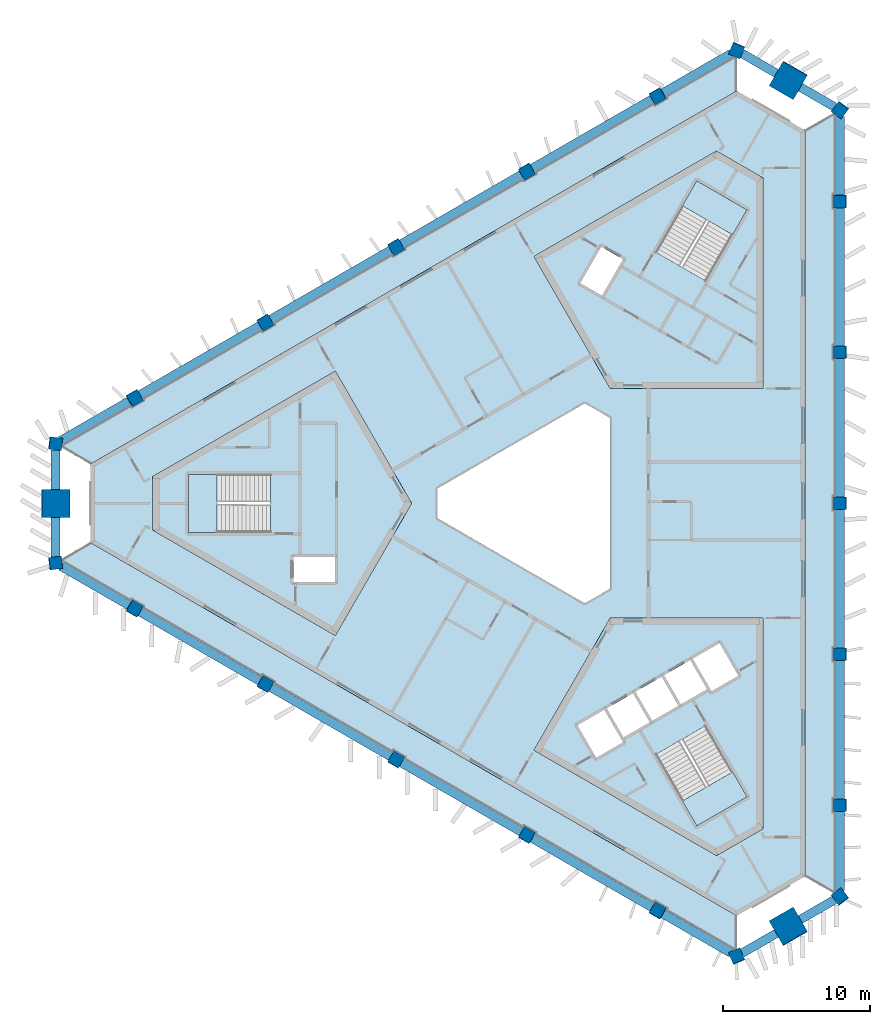
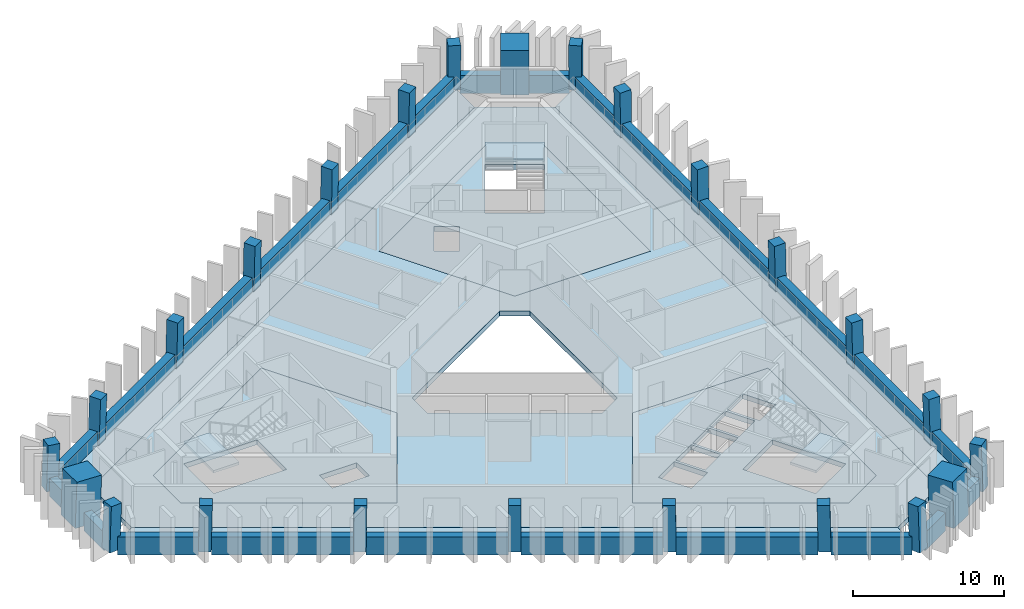
# One storey, part 1 of 9: 24 beams, 24 columns, 10 slabs, 3 elements without a shape of their own.
"""IFC4 building model written with IfcOpenShell, lengths in metres."""

from ifc_helpers import new_model, si_unit, direction, frame, origin, origin_2d, place, context, subcontext, project, spatial, polyline, rectangle, outline, extrude, material, layer, layer_set, material_profile, profile_set, type_object, element, aggregate, save


model = new_model("IFC4")

# Units and contexts
model_context = context("Model", 3, precision=1e-05, world=origin(), true_north=direction((0.0, 1.0)))
body_context = subcontext(model_context, "Body", "Model", "MODEL_VIEW")
ifc_project = project(units=[si_unit("LENGTHUNIT", "METRE"), si_unit("AREAUNIT", "SQUARE_METRE"), si_unit("VOLUMEUNIT", "CUBIC_METRE"), si_unit("PLANEANGLEUNIT", "RADIAN"), si_unit("MASSUNIT", "GRAM", prefix="KILO")], contexts=[model_context])

# Site, building, storey
site_placement = place(None, origin())
site = spatial("IfcSite", under=ifc_project, at=site_placement, CompositionType="ELEMENT")
building_placement = place(site_placement, origin())
building = spatial("IfcBuilding", under=site, at=building_placement, Name="Jabali Bay Hotel Tower and Convention Centre", CompositionType="ELEMENT")
storey_placement = place(building_placement, frame((0.0, 0.0, 224.300048828125)))
storey = spatial("IfcBuildingStorey", under=building, at=storey_placement, Name="L55", CompositionType="ELEMENT", Elevation=224.300048828125)

# Columns
ifc_material_1 = material(Name="Concrete C60", Category="concrete")
ifc_material_profile_1 = material_profile(ifc_material_1, rectangle(XDim=0.85009765625, YDim=0.85009765625, at=origin_2d()), Name="Frame column 850")
ifc_profile_set_1 = profile_set([ifc_material_profile_1], Name="Concrete C60")
column_type_1 = type_object("IfcColumnType", Name="Frame column 850", PredefinedType="COLUMN", material=ifc_profile_set_1)
column_1_placement = place(storey_placement, frame((82.720947265625, 107.69873046875, 0.0), z_axis=(-0.008376454378, -0.028163354484, 0.999568237028), x_axis=(0.865850871468, 0.499846877556, 0.02133933866)))
element("IfcColumn", 1, at=column_1_placement, inside=storey, type_object=column_type_1, Name="FC5 F1.1 L55", PredefinedType="COLUMN", context=body_context, shape_type="SweptSolid", body=[
    extrude(rectangle(XDim=0.85009765625, YDim=0.85009765625, at=origin_2d()), origin(), (0.0, 0.0, 1.0), 3.70166015625),
])
column_2_placement = place(storey_placement, frame((73.82861328125, 102.564697265625, 0.0), z_axis=(0.000857578916, -0.022824792675, 0.999739112668), x_axis=(0.866060219769, 0.499825848733, 0.01066848966)))
element("IfcColumn", 2, at=column_2_placement, inside=storey, type_object=column_type_1, Name="FC5 F1.2 L55", PredefinedType="COLUMN", context=body_context, shape_type="SweptSolid", body=[
    extrude(rectangle(XDim=0.85009765625, YDim=0.85009765625, at=origin_2d()), origin(), (0.0, 0.0, 1.0), 3.700927734375),
])
column_3_placement = place(storey_placement, frame((64.936279296875, 97.4306640625, 0.0), z_axis=(0.010093620709, -0.017482414954, 0.999796221231), x_axis=(0.86601685016, 0.500014815019, 2.20911e-07)))
element("IfcColumn", 3, at=column_3_placement, inside=storey, type_object=column_type_1, Name="FC5 F1.3 L55", PredefinedType="COLUMN", context=body_context, shape_type="SweptSolid", body=[
    extrude(rectangle(XDim=0.85009765625, YDim=0.85009765625, at=origin_2d()), origin(), (0.0, 0.0, 1.0), 3.70068359375),
])
column_4_placement = place(storey_placement, frame((56.044189453125, 92.296875, 0.0), z_axis=(0.019328501455, -0.012204002625, 0.999738701537), x_axis=(-0.498091127152, 0.866889092049, 0.020212153236)))
element("IfcColumn", 4, at=column_4_placement, inside=storey, type_object=column_type_1, Name="FC5 F1.4 L55", PredefinedType="COLUMN", context=body_context, shape_type="SweptSolid", body=[
    extrude(rectangle(XDim=0.85009765625, YDim=0.85009765625, at=origin_2d()), origin(), (0.0, 0.0, 1.0), 3.700927734375),
])
for number, where, z_axis, x_axis, name in (
    (5, (47.15185546875, 87.162841796875, 0.0), (0.02855911485, -0.006793507689, 0.999569019734), (-0.500407643461, 0.865554709988, 0.020180049142), "FC5 F1.5 L55"),
    (6, (47.15185546875, 72.837158203125, 0.0), (0.02855911485, 0.006793507689, 0.999569019734), (-0.865318766308, 0.500768301983, 0.021319953197), "FC5 F2.1 L55"),
):
    element("IfcColumn", number, at=place(storey_placement, frame(where, z_axis=z_axis, x_axis=x_axis)), inside=storey, type_object=column_type_1, Name=name, PredefinedType="COLUMN", context=body_context, shape_type="SweptSolid", body=[
        extrude(rectangle(XDim=0.85009765625, YDim=0.85009765625, at=origin_2d()), origin(), (0.0, 0.0, 1.0), 3.70166015625),
    ])
column_5_placement = place(storey_placement, frame((56.044189453125, 67.703125, 0.0), z_axis=(0.019328501455, 0.012204002625, 0.999738701537), x_axis=(-0.866909244433, 0.49835164734, 0.010676961654)))
element("IfcColumn", 7, at=column_5_placement, inside=storey, type_object=column_type_1, Name="FC5 F2.2 L55", PredefinedType="COLUMN", context=body_context, shape_type="SweptSolid", body=[
    extrude(rectangle(XDim=0.85009765625, YDim=0.85009765625, at=origin_2d()), origin(), (0.0, 0.0, 1.0), 3.700927734375),
])
column_6_placement = place(storey_placement, frame((64.936279296875, 62.5693359375, 0.0), z_axis=(0.010093620709, 0.017482414954, 0.999796221231), x_axis=(-0.499912926478, -0.865840372083, 0.020187025823)))
element("IfcColumn", 8, at=column_6_placement, inside=storey, type_object=column_type_1, Name="FC5 F2.3 L55", PredefinedType="COLUMN", context=body_context, shape_type="SweptSolid", body=[
    extrude(rectangle(XDim=0.85009765625, YDim=0.85009765625, at=origin_2d()), origin(), (0.0, 0.0, 1.0), 3.70068359375),
])
column_7_placement = place(storey_placement, frame((73.82861328125, 57.435302734375, 0.0), z_axis=(0.000857578916, 0.022824792675, 0.999739112668), x_axis=(-0.499938956565, -0.865825126557, 0.020196285069)))
element("IfcColumn", 9, at=column_7_placement, inside=storey, type_object=column_type_1, Name="FC5 F2.4 L55", PredefinedType="COLUMN", context=body_context, shape_type="SweptSolid", body=[
    extrude(rectangle(XDim=0.85009765625, YDim=0.85009765625, at=origin_2d()), origin(), (0.0, 0.0, 1.0), 3.700927734375),
])
for number, where, z_axis, x_axis, name in (
    (10, (82.720947265625, 52.30126953125, 0.0), (-0.008376454378, 0.028163354484, 0.999568237028), (-0.500232049542, -0.86565577712, 0.020198320458), "FC5 F2.5 L55"),
    (11, (95.127197265625, 59.464111328125, 0.0), (-0.020182631348, 0.021369844956, 0.999567902205), (-0.001321626256, -0.999771242465, 0.021347506758), "FC5 F0.1 L55"),
):
    element("IfcColumn", number, at=place(storey_placement, frame(where, z_axis=z_axis, x_axis=x_axis)), inside=storey, type_object=column_type_1, Name=name, PredefinedType="COLUMN", context=body_context, shape_type="SweptSolid", body=[
        extrude(rectangle(XDim=0.85009765625, YDim=0.85009765625, at=origin_2d()), origin(), (0.0, 0.0, 1.0), 3.70166015625),
    ])
column_8_placement = place(storey_placement, frame((95.127197265625, 69.732177734375, 0.0), z_axis=(-0.020186102726, 0.010620792611, 0.999739826165), x_axis=(0.001543238363, -0.999942052594, 0.01065410105)))
element("IfcColumn", 12, at=column_8_placement, inside=storey, type_object=column_type_1, Name="FC5 F0.2 L55", PredefinedType="COLUMN", context=body_context, shape_type="SweptSolid", body=[
    extrude(rectangle(XDim=0.85009765625, YDim=0.85009765625, at=origin_2d()), origin(), (0.0, 0.0, 1.0), 3.700927734375),
])
column_9_placement = place(storey_placement, frame((95.127197265625, 80.0, 0.0), z_axis=(-0.020187241331, 0.0, 0.99979621688), x_axis=(0.0, -1.0, 0.0)))
element("IfcColumn", 13, at=column_9_placement, inside=storey, type_object=column_type_1, Name="FC5 F0.3 L55", PredefinedType="COLUMN", context=body_context, shape_type="SweptSolid", body=[
    extrude(rectangle(XDim=0.85009765625, YDim=0.85009765625, at=origin_2d()), origin(), (0.0, 0.0, 1.0), 3.70068359375),
])
column_10_placement = place(storey_placement, frame((95.127197265625, 90.267822265625, 0.0), z_axis=(-0.020186102726, -0.010620792611, 0.999739826165), x_axis=(0.999795048834, -0.001757901631, 0.020168542579)))
element("IfcColumn", 14, at=column_10_placement, inside=storey, type_object=column_type_1, Name="FC5 F0.4 L55", PredefinedType="COLUMN", context=body_context, shape_type="SweptSolid", body=[
    extrude(rectangle(XDim=0.85009765625, YDim=0.85009765625, at=origin_2d()), origin(), (0.0, 0.0, 1.0), 3.700927734375),
])
column_11_placement = place(storey_placement, frame((95.127197265625, 100.535888671875, 0.0), z_axis=(-0.020182631348, -0.021369844956, 0.999567902205), x_axis=(0.999795436425, 0.000890206325, 0.020206257367)))
element("IfcColumn", 15, at=column_11_placement, inside=storey, type_object=column_type_1, Name="FC5 F0.5 L55", PredefinedType="COLUMN", context=body_context, shape_type="SweptSolid", body=[
    extrude(rectangle(XDim=0.85009765625, YDim=0.85009765625, at=origin_2d()), origin(), (0.0, 0.0, 1.0), 3.70166015625),
])
for number, where, z_axis, x_axis, name in (
    (16, (95.127197265625, 53.254150390625, 0.0), (-0.02017878048, 0.028949296179, 0.999377183584), (-0.798493002167, -0.602002653044, 0.001315757573), "FC5 V0 L55"),
    (17, (95.127197265625, 106.745849609375, 0.0), (-0.02017878048, -0.028949296179, 0.999377183584), (0.601665806165, 0.797969137235, 0.035263489801), "FC5 V1 L55"),
    (18, (88.09912109375, 110.8037109375, 0.0), (-0.015035141917, -0.031982648376, 0.99937533225), (0.920211525239, -0.391419228521, 0.001317710453), "FC5 V2 L55"),
    (19, (41.773681640625, 84.057861328125, 0.0), (0.03521388716, -0.002967462401, 0.999375393092), (-0.992022939905, 0.121009911429, 0.03531413368), "FC5 V3 L55"),
    (20, (41.773681640625, 75.942138671875, 0.0), (0.03521388716, 0.002967462401, 0.999375393092), (-0.121039121166, 0.992646863443, 0.001317438591), "FC5 V4 L55"),
    (21, (88.09912109375, 49.1962890625, 0.0), (-0.015035141917, 0.031982648376, 0.99937533225), (0.391132577682, -0.91965651074, 0.035315845293), "FC5 V5 L55"),
):
    element("IfcColumn", number, at=place(storey_placement, frame(where, z_axis=z_axis, x_axis=x_axis)), inside=storey, type_object=column_type_1, Name=name, PredefinedType="COLUMN", context=body_context, shape_type="SweptSolid", body=[
        extrude(rectangle(XDim=0.85009765625, YDim=0.85009765625, at=origin_2d()), origin(), (0.0, 0.0, 1.0), 3.7021484375),
    ])
ifc_material_2 = material(Name="Concrete C70", Category="concrete")
ifc_material_profile_2 = material_profile(ifc_material_2, rectangle(XDim=1.89990234375, YDim=1.89990234375, at=origin_2d()), Name="Mega column 1900")
ifc_profile_set_2 = profile_set([ifc_material_profile_2], Name="Concrete C70")
column_type_2 = type_object("IfcColumnType", Name="Mega column 1900", PredefinedType="COLUMN", material=ifc_profile_set_2)
for number, where, z_axis, x_axis, name in (
    (22, (91.613037109375, 108.77490234375, 0.0), (-0.017541078386, -0.030532027415, 0.999379860649), (0.867090277759, -0.498151031531, 1.37663e-07), "MC5 M1 L55"),
    (23, (41.773681640625, 80.0, 0.0), (0.035214042205, 0.0, 0.999379793288), (0.0, 1.0, 0.0), "MC5 M0 L55"),
    (24, (91.613037109375, 51.22509765625, 0.0), (-0.017541078386, 0.030532027415, 0.999379860649), (0.497845433655, -0.866550650603, 0.035212130424), "MC5 M2 L55"),
):
    element("IfcColumn", number, at=place(storey_placement, frame(where, z_axis=z_axis, x_axis=x_axis)), inside=storey, type_object=column_type_2, Name=name, PredefinedType="COLUMN", context=body_context, shape_type="SweptSolid", body=[
        extrude(rectangle(XDim=1.89990234375, YDim=1.89990234375, at=origin_2d()), origin(), (0.0, 0.0, 1.0), 3.7021484375),
    ])

# Beams
ifc_material_profile_3 = material_profile(ifc_material_1, rectangle(XDim=0.60009765625, YDim=1.449951171875, at=origin_2d()), Name="Spandrel 600x1450")
ifc_profile_set_3 = profile_set([ifc_material_profile_3], Name="Concrete C60")
beam_type = type_object("IfcBeamType", Name="Spandrel 600x1450", PredefinedType="SPANDREL", material=ifc_profile_set_3)
beam_1_placement = place(storey_placement, frame((90.783935546875, 109.23828125, 0.375), z_axis=(-0.866038534827, 0.499977255678, 0.0), x_axis=(-0.499977255678, -0.866038534827, 0.0)))
element("IfcBeam", 25, at=beam_1_placement, inside=storey, type_object=beam_type, Name="Spandrel M1-V2 L55", PredefinedType="SPANDREL", context=body_context, shape_type="SweptSolid", body=[
    extrude(rectangle(XDim=0.60009765625, YDim=1.449951171875, at=origin_2d()), origin(), (0.0, 0.0, 1.0), 2.681640625),
])
beam_2_placement = place(storey_placement, frame((87.725341796875, 110.5791015625, 0.375), z_axis=(-0.866044436062, -0.499967033679, 0.0), x_axis=(0.499967033679, -0.866044436062, 0.0)))
element("IfcBeam", 26, at=beam_2_placement, inside=storey, type_object=beam_type, Name="Spandrel V2-F1.1 L55", PredefinedType="SPANDREL", context=body_context, shape_type="SweptSolid", body=[
    extrude(rectangle(XDim=0.60009765625, YDim=1.449951171875, at=origin_2d()), origin(), (0.0, 0.0, 1.0), 5.357177734375),
])
beam_3_placement = place(storey_placement, frame((82.349609375, 107.4755859375, 0.375), z_axis=(-0.866019311982, -0.500010551164, 0.0), x_axis=(0.500010551164, -0.866019311982, 0.0)))
element("IfcBeam", 27, at=beam_3_placement, inside=storey, type_object=beam_type, Name="Spandrel F1.1-F1.2 L55", PredefinedType="SPANDREL", context=body_context, shape_type="SweptSolid", body=[
    extrude(rectangle(XDim=0.60009765625, YDim=1.449951171875, at=origin_2d()), origin(), (0.0, 0.0, 1.0), 9.413818359375),
])
beam_4_placement = place(storey_placement, frame((73.4609375, 102.34375, 0.375), z_axis=(-0.866025795576, -0.499999321396, 0.0), x_axis=(0.499999321396, -0.866025795576, 0.0)))
element("IfcBeam", 28, at=beam_4_placement, inside=storey, type_object=beam_type, Name="Spandrel F1.2-F1.3 L55", PredefinedType="SPANDREL", context=body_context, shape_type="SweptSolid", body=[
    extrude(rectangle(XDim=0.60009765625, YDim=1.449951171875, at=origin_2d()), origin(), (0.0, 0.0, 1.0), 9.4140625),
])
beam_5_placement = place(storey_placement, frame((64.572021484375, 97.211669921875, 0.375), z_axis=(-0.866019311982, -0.500010551164, 0.0), x_axis=(0.500010551164, -0.866019311982, 0.0)))
element("IfcBeam", 29, at=beam_5_placement, inside=storey, type_object=beam_type, Name="Spandrel F1.3-F1.4 L55", PredefinedType="SPANDREL", context=body_context, shape_type="SweptSolid", body=[
    extrude(rectangle(XDim=0.60009765625, YDim=1.449951171875, at=origin_2d()), origin(), (0.0, 0.0, 1.0), 9.413818359375),
])
beam_6_placement = place(storey_placement, frame((55.683349609375, 92.079833984375, 0.375), z_axis=(-0.866025795576, -0.499999321396, 0.0), x_axis=(0.499999321396, -0.866025795576, 0.0)))
element("IfcBeam", 30, at=beam_6_placement, inside=storey, type_object=beam_type, Name="Spandrel F1.4-F1.5 L55", PredefinedType="SPANDREL", context=body_context, shape_type="SweptSolid", body=[
    extrude(rectangle(XDim=0.60009765625, YDim=1.449951171875, at=origin_2d()), origin(), (0.0, 0.0, 1.0), 9.4140625),
])
beam_7_placement = place(storey_placement, frame((46.79443359375, 86.94775390625, 0.375), z_axis=(-0.86601331019, -0.500020946135, 0.0), x_axis=(0.500020946135, -0.86601331019, 0.0)))
element("IfcBeam", 31, at=beam_7_placement, inside=storey, type_object=beam_type, Name="Spandrel F1.5-V3 L55", PredefinedType="SPANDREL", context=body_context, shape_type="SweptSolid", body=[
    extrude(rectangle(XDim=0.60009765625, YDim=1.449951171875, at=origin_2d()), origin(), (0.0, 0.0, 1.0), 5.357177734375),
])
for number, where, z_axis, x_axis, name in (
    (32, (41.786865234375, 83.631591796875, 0.375), (0.0, -1.0, 0.0), (1.0, 0.0, 0.0), "Spandrel V3-M0 L55"),
    (33, (41.786865234375, 79.050048828125, 0.375), (0.0, -1.0, 0.0), (1.0, 0.0, 0.0), "Spandrel M0-V4 L55"),
):
    element("IfcBeam", number, at=place(storey_placement, frame(where, z_axis=z_axis, x_axis=x_axis)), inside=storey, type_object=beam_type, Name=name, PredefinedType="SPANDREL", context=body_context, shape_type="SweptSolid", body=[
        extrude(rectangle(XDim=0.60009765625, YDim=1.449951171875, at=origin_2d()), origin(), (0.0, 0.0, 1.0), 2.681640625),
    ])
beam_8_placement = place(storey_placement, frame((42.155029296875, 75.73095703125, 0.375), z_axis=(0.86601331019, -0.500020946135, 0.0), x_axis=(0.500020946135, 0.86601331019, 0.0)))
element("IfcBeam", 34, at=beam_8_placement, inside=storey, type_object=beam_type, Name="Spandrel V4-F2.1 L55", PredefinedType="SPANDREL", context=body_context, shape_type="SweptSolid", body=[
    extrude(rectangle(XDim=0.60009765625, YDim=1.449951171875, at=origin_2d()), origin(), (0.0, 0.0, 1.0), 5.357177734375),
])
beam_9_placement = place(storey_placement, frame((47.530517578125, 72.627197265625, 0.375), z_axis=(0.866025795576, -0.499999321396, 0.0), x_axis=(0.499999321396, 0.866025795576, 0.0)))
element("IfcBeam", 35, at=beam_9_placement, inside=storey, type_object=beam_type, Name="Spandrel F2.1-F2.2 L55", PredefinedType="SPANDREL", context=body_context, shape_type="SweptSolid", body=[
    extrude(rectangle(XDim=0.60009765625, YDim=1.449951171875, at=origin_2d()), origin(), (0.0, 0.0, 1.0), 9.4140625),
])
beam_10_placement = place(storey_placement, frame((56.41943359375, 67.495361328125, 0.375), z_axis=(0.866019311982, -0.500010551164, 0.0), x_axis=(0.500010551164, 0.866019311982, 0.0)))
element("IfcBeam", 36, at=beam_10_placement, inside=storey, type_object=beam_type, Name="Spandrel F2.2-F2.3 L55", PredefinedType="SPANDREL", context=body_context, shape_type="SweptSolid", body=[
    extrude(rectangle(XDim=0.60009765625, YDim=1.449951171875, at=origin_2d()), origin(), (0.0, 0.0, 1.0), 9.413818359375),
])
beam_11_placement = place(storey_placement, frame((65.30810546875, 62.36328125, 0.375), z_axis=(0.866025795576, -0.499999321396, 0.0), x_axis=(0.499999321396, 0.866025795576, 0.0)))
element("IfcBeam", 37, at=beam_11_placement, inside=storey, type_object=beam_type, Name="Spandrel F2.3-F2.4 L55", PredefinedType="SPANDREL", context=body_context, shape_type="SweptSolid", body=[
    extrude(rectangle(XDim=0.60009765625, YDim=1.449951171875, at=origin_2d()), origin(), (0.0, 0.0, 1.0), 9.4140625),
])
beam_12_placement = place(storey_placement, frame((74.197021484375, 57.2314453125, 0.375), z_axis=(0.866019311982, -0.500010551164, 0.0), x_axis=(0.500010551164, 0.866019311982, 0.0)))
element("IfcBeam", 38, at=beam_12_placement, inside=storey, type_object=beam_type, Name="Spandrel F2.4-F2.5 L55", PredefinedType="SPANDREL", context=body_context, shape_type="SweptSolid", body=[
    extrude(rectangle(XDim=0.60009765625, YDim=1.449951171875, at=origin_2d()), origin(), (0.0, 0.0, 1.0), 9.413818359375),
])
beam_13_placement = place(storey_placement, frame((83.085693359375, 52.099365234375, 0.375), z_axis=(0.866044436062, -0.499967033679, 0.0), x_axis=(0.499967033679, 0.866044436062, 0.0)))
element("IfcBeam", 39, at=beam_13_placement, inside=storey, type_object=beam_type, Name="Spandrel F2.5-V5 L55", PredefinedType="SPANDREL", context=body_context, shape_type="SweptSolid", body=[
    extrude(rectangle(XDim=0.60009765625, YDim=1.449951171875, at=origin_2d()), origin(), (0.0, 0.0, 1.0), 5.357177734375),
])
for number, where, z_axis, x_axis, name in (
    (40, (88.46142578125, 49.4208984375, 0.375), (0.866038534827, 0.499977255678, 0.0), (-0.499977255678, 0.866038534827, 0.0), "Spandrel V5-M2 L55"),
    (41, (92.42919921875, 51.711669921875, 0.375), (0.866038534827, 0.499977255678, 0.0), (-0.499977255678, 0.866038534827, 0.0), "Spandrel M2-V0 L55"),
):
    element("IfcBeam", number, at=place(storey_placement, frame(where, z_axis=z_axis, x_axis=x_axis)), inside=storey, type_object=beam_type, Name=name, PredefinedType="SPANDREL", context=body_context, shape_type="SweptSolid", body=[
        extrude(rectangle(XDim=0.60009765625, YDim=1.449951171875, at=origin_2d()), origin(), (0.0, 0.0, 1.0), 2.681640625),
    ])
beam_14_placement = place(storey_placement, frame((95.11962890625, 53.68994140625, 0.375), z_axis=(0.0, 1.0, 0.0), x_axis=(-1.0, 0.0, 0.0)))
element("IfcBeam", 42, at=beam_14_placement, inside=storey, type_object=beam_type, Name="Spandrel V0-F0.1 L55", PredefinedType="SPANDREL", context=body_context, shape_type="SweptSolid", body=[
    extrude(rectangle(XDim=0.60009765625, YDim=1.449951171875, at=origin_2d()), origin(), (0.0, 0.0, 1.0), 5.357177734375),
])
for number, where, z_axis, x_axis, name in (
    (43, (95.11962890625, 59.897216796875, 0.375), (0.0, 1.0, 0.0), (-1.0, 0.0, 0.0), "Spandrel F0.1-F0.2 L55"),
    (44, (95.11962890625, 70.1611328125, 0.375), (0.0, 1.0, 0.0), (-1.0, 0.0, 0.0), "Spandrel F0.2-F0.3 L55"),
    (45, (95.11962890625, 80.425048828125, 0.375), (0.0, 1.0, 0.0), (-1.0, 0.0, 0.0), "Spandrel F0.3-F0.4 L55"),
    (46, (95.11962890625, 90.68896484375, 0.375), (0.0, 1.0, 0.0), (-1.0, 0.0, 0.0), "Spandrel F0.4-F0.5 L55"),
):
    element("IfcBeam", number, at=place(storey_placement, frame(where, z_axis=z_axis, x_axis=x_axis)), inside=storey, type_object=beam_type, Name=name, PredefinedType="SPANDREL", context=body_context, shape_type="SweptSolid", body=[
        extrude(rectangle(XDim=0.60009765625, YDim=1.449951171875, at=origin_2d()), origin(), (0.0, 0.0, 1.0), 9.413818359375),
    ])
beam_15_placement = place(storey_placement, frame((95.11962890625, 100.952880859375, 0.375), z_axis=(0.0, 1.0, 0.0), x_axis=(-1.0, 0.0, 0.0)))
element("IfcBeam", 47, at=beam_15_placement, inside=storey, type_object=beam_type, Name="Spandrel F0.5-V1 L55", PredefinedType="SPANDREL", context=body_context, shape_type="SweptSolid", body=[
    extrude(rectangle(XDim=0.60009765625, YDim=1.449951171875, at=origin_2d()), origin(), (0.0, 0.0, 1.0), 5.357177734375),
])
beam_16_placement = place(storey_placement, frame((94.751708984375, 106.947509765625, 0.375), z_axis=(-0.866038534827, 0.499977255678, 0.0), x_axis=(-0.499977255678, -0.866038534827, 0.0)))
element("IfcBeam", 48, at=beam_16_placement, inside=storey, type_object=beam_type, Name="Spandrel V1-M1 L55", PredefinedType="SPANDREL", context=body_context, shape_type="SweptSolid", body=[
    extrude(rectangle(XDim=0.60009765625, YDim=1.449951171875, at=origin_2d()), origin(), (0.0, 0.0, 1.0), 2.681640625),
])

# Slabs
ifc_material_3 = material(Name="Concrete C40", Category="concrete")
ifc_layer_1 = layer(ifc_material_3, 0.39990234375)
ifc_layer_set_1 = layer_set([ifc_layer_1], Name="Concrete C40")
slab_type_1 = type_object("IfcSlabType", Name="Core floor slab 400", PredefinedType="FLOOR", material=ifc_layer_set_1)
slab_1_placement = place(storey_placement, frame((0.0, 0.0, -0.400146484375)))
element("IfcSlab", 49, at=slab_1_placement, inside=storey, type_object=slab_type_1, Name="Core floor slab 1 L55", PredefinedType="FLOOR", context=body_context, shape_type="SweptSolid", body=[
    extrude(outline(polyline([(66.0, 80.0), (60.81005859375, 88.9892578125), (48.39697265625, 81.82275390625), (48.39697265625, 78.17724609375), (60.81005859375, 71.0107421875), (66.0, 80.0)]), holes=[polyline([(60.800048828125, 76.35009765625), (57.949951171875, 76.35009765625), (57.949951171875, 74.64990234375), (60.800048828125, 74.64990234375), (60.800048828125, 76.35009765625)]), polyline([(50.820068359375, 81.97509765625), (50.820068359375, 78.02490234375), (56.409912109375, 78.02490234375), (56.409912109375, 81.97509765625), (50.820068359375, 81.97509765625)])]), origin(), (0.0, 0.0, 1.0), 0.400146484375),
])
slab_2_placement = place(storey_placement, frame((0.0, 0.0, -0.400146484375)))
element("IfcSlab", 50, at=slab_2_placement, inside=storey, type_object=slab_type_1, Name="Core floor slab 2 L55", PredefinedType="FLOOR", context=body_context, shape_type="SweptSolid", body=[
    extrude(outline(polyline([(79.5, 87.794189453125), (89.8798828125, 87.794189453125), (89.8798828125, 102.127685546875), (86.72314453125, 103.9501953125), (74.31005859375, 96.78369140625), (79.5, 87.794189453125)]), holes=[polyline([(78.93896484375, 94.12255859375), (80.364013671875, 96.5908203125), (78.891845703125, 97.440673828125), (77.466796875, 94.97265625), (78.93896484375, 94.12255859375)]), polyline([(88.80029296875, 99.952880859375), (85.379638671875, 101.927978515625), (82.584716796875, 97.0869140625), (86.00537109375, 95.11181640625), (88.80029296875, 99.952880859375)])]), origin(), (0.0, 0.0, 1.0), 0.400146484375),
])
slab_3_placement = place(storey_placement, frame((0.0, 0.0, -0.400146484375)))
element("IfcSlab", 51, at=slab_3_placement, inside=storey, type_object=slab_type_1, Name="Core floor slab 3 L55", PredefinedType="FLOOR", context=body_context, shape_type="SweptSolid", body=[
    extrude(outline(polyline([(79.5, 72.205810546875), (74.31005859375, 63.21630859375), (86.72314453125, 56.0498046875), (89.8798828125, 57.872314453125), (89.8798828125, 72.205810546875), (79.5, 72.205810546875)]), holes=[polyline([(82.584716796875, 62.9130859375), (85.379638671875, 58.072021484375), (88.80029296875, 60.047119140625), (86.00537109375, 64.88818359375), (82.584716796875, 62.9130859375)]), polyline([(80.365478515625, 63.756591796875), (79.090576171875, 65.96484375), (77.27197265625, 64.9150390625), (78.546875, 62.70654296875), (80.365478515625, 63.756591796875)]), polyline([(82.17919921875, 65.115478515625), (81.0390625, 67.08984375), (79.263671875, 66.06494140625), (80.40380859375, 64.09033203125), (82.17919921875, 65.115478515625)]), polyline([(82.98779296875, 68.21484375), (81.21240234375, 67.18994140625), (82.352294921875, 65.21533203125), (84.127685546875, 66.240478515625), (82.98779296875, 68.21484375)]), polyline([(86.076171875, 67.365478515625), (84.936279296875, 69.33984375), (83.160888671875, 68.31494140625), (84.30078125, 66.34033203125), (86.076171875, 67.365478515625)]), polyline([(88.203125, 68.281494140625), (86.927978515625, 70.489990234375), (85.109375, 69.43994140625), (86.384521484375, 67.231689453125), (88.203125, 68.281494140625)])]), origin(), (0.0, 0.0, 1.0), 0.400146484375),
])
ifc_layer_2 = layer(ifc_material_3, 0.199951171875)
ifc_layer_set_2 = layer_set([ifc_layer_2], Name="Concrete C40")
slab_type_2 = type_object("IfcSlabType", Name="Loggia slab 200", PredefinedType="FLOOR", material=ifc_layer_set_2)
slab_4_placement = place(storey_placement, frame((0.0, 0.0, -0.199951171875)))
element("IfcSlab", 52, at=slab_4_placement, inside=storey, type_object=slab_type_2, Name="Loggia slab east face L55", PredefinedType="FLOOR", context=body_context, shape_type="SweptSolid", body=[
    extrude(outline(polyline([(92.727294921875, 105.3603515625), (94.727294921875, 106.51513671875), (94.827392578125, 106.439697265625), (94.827392578125, 100.960693359375), (94.702392578125, 100.960693359375), (94.702392578125, 100.11083984375), (94.827392578125, 100.11083984375), (94.827392578125, 90.69287109375), (94.702392578125, 90.69287109375), (94.702392578125, 89.843017578125), (94.827392578125, 89.843017578125), (94.827392578125, 80.425048828125), (94.702392578125, 80.425048828125), (94.702392578125, 79.574951171875), (94.827392578125, 79.574951171875), (94.827392578125, 70.156982421875), (94.702392578125, 70.156982421875), (94.702392578125, 69.30712890625), (94.827392578125, 69.30712890625), (94.827392578125, 59.88916015625), (94.702392578125, 59.88916015625), (94.702392578125, 59.039306640625), (94.827392578125, 59.039306640625), (94.827392578125, 53.560302734375), (94.727294921875, 53.48486328125), (92.727294921875, 54.6396484375), (92.727294921875, 105.3603515625)])), origin(), (0.0, 0.0, 1.0), 0.199951171875),
])
slab_5_placement = place(storey_placement, frame((0.0, 0.0, -0.199951171875)))
element("IfcSlab", 53, at=slab_5_placement, inside=storey, type_object=slab_type_2, Name="Loggia slab north-west face L55", PredefinedType="FLOOR", context=body_context, shape_type="SweptSolid", body=[
    extrude(outline(polyline([(44.173583984375, 82.672119140625), (42.173583984375, 83.826904296875), (42.188720703125, 83.950927734375), (46.933837890625, 86.6904296875), (46.996337890625, 86.582275390625), (47.732421875, 87.00732421875), (47.669921875, 87.115478515625), (55.825927734375, 91.824462890625), (55.888427734375, 91.71630859375), (56.624755859375, 92.14111328125), (56.562255859375, 92.24951171875), (64.71826171875, 96.95849609375), (64.78076171875, 96.85009765625), (65.516845703125, 97.275146484375), (65.454345703125, 97.383544921875), (73.610595703125, 102.09228515625), (73.673095703125, 101.984130859375), (74.4091796875, 102.4091796875), (74.3466796875, 102.517333984375), (82.5029296875, 107.226318359375), (82.5654296875, 107.1181640625), (83.301513671875, 107.54296875), (83.239013671875, 107.6513671875), (87.98388671875, 110.390869140625), (88.09912109375, 110.341796875), (88.09912109375, 108.032470703125), (44.173583984375, 82.672119140625)])), origin(), (0.0, 0.0, 1.0), 0.199951171875),
])
slab_6_placement = place(storey_placement, frame((0.0, 0.0, -0.199951171875)))
element("IfcSlab", 54, at=slab_6_placement, inside=storey, type_object=slab_type_2, Name="Loggia slab south-west face L55", PredefinedType="FLOOR", context=body_context, shape_type="SweptSolid", body=[
    extrude(outline(polyline([(88.09912109375, 51.967529296875), (88.09912109375, 49.658203125), (87.98388671875, 49.609130859375), (83.239013671875, 52.3486328125), (83.301513671875, 52.45703125), (82.5654296875, 52.8818359375), (82.5029296875, 52.773681640625), (74.3466796875, 57.482666015625), (74.4091796875, 57.5908203125), (73.673095703125, 58.015869140625), (73.610595703125, 57.90771484375), (65.454345703125, 62.616455078125), (65.516845703125, 62.724853515625), (64.78076171875, 63.14990234375), (64.71826171875, 63.04150390625), (56.562255859375, 67.75048828125), (56.624755859375, 67.85888671875), (55.888427734375, 68.28369140625), (55.825927734375, 68.175537109375), (47.669921875, 72.884521484375), (47.732421875, 72.99267578125), (46.996337890625, 73.417724609375), (46.933837890625, 73.3095703125), (42.188720703125, 76.049072265625), (42.173583984375, 76.173095703125), (44.173583984375, 77.327880859375), (88.09912109375, 51.967529296875)])), origin(), (0.0, 0.0, 1.0), 0.199951171875),
])
ifc_layer_3 = layer(ifc_material_3, 0.39990234375)
ifc_layer_set_3 = layer_set([ifc_layer_3], Name="Concrete C40")
slab_type_3 = type_object("IfcSlabType", Name="Post-tensioned flat slab 400", PredefinedType="FLOOR", material=ifc_layer_set_3)
slab_7_placement = place(storey_placement, frame((0.0, 0.0, -0.400146484375)))
element("IfcSlab", 55, at=slab_7_placement, inside=storey, type_object=slab_type_3, Name="Floor slab L55", PredefinedType="FLOOR", context=body_context, shape_type="SweptSolid", body=[
    extrude(outline(polyline([(88.09912109375, 108.032470703125), (92.727294921875, 105.3603515625), (92.727294921875, 54.6396484375), (88.09912109375, 51.967529296875), (44.173583984375, 77.327880859375), (44.173583984375, 82.672119140625), (88.09912109375, 108.032470703125)]), holes=[polyline([(67.73193359375, 79.0), (77.76806640625, 73.205810546875), (79.5, 74.205810546875), (79.5, 85.794189453125), (77.76806640625, 86.794189453125), (67.73193359375, 81.0), (67.73193359375, 79.0)]), polyline([(48.39697265625, 78.17724609375), (60.81005859375, 71.0107421875), (66.0, 80.0), (60.81005859375, 88.9892578125), (48.39697265625, 81.82275390625), (48.39697265625, 78.17724609375)]), polyline([(89.8798828125, 102.127685546875), (86.72314453125, 103.9501953125), (74.31005859375, 96.78369140625), (79.5, 87.794189453125), (89.8798828125, 87.794189453125), (89.8798828125, 102.127685546875)]), polyline([(74.31005859375, 63.21630859375), (86.72314453125, 56.0498046875), (89.8798828125, 57.872314453125), (89.8798828125, 72.205810546875), (79.5, 72.205810546875), (74.31005859375, 63.21630859375)])]), origin(), (0.0, 0.0, 1.0), 0.400146484375),
])

# Stair, slab
stair_type = type_object("IfcStairType", Name="Exit stair 1900", PredefinedType="HALF_TURN_STAIR", material=ifc_material_3)
stair_1_placement = place(storey_placement, origin())
stair_1 = element("IfcStair", 56, at=stair_1_placement, inside=storey, type_object=stair_type, Name="L55 Exit Stair 1", PredefinedType="HALF_TURN_STAIR")
ifc_layer_4 = layer(ifc_material_3, 0.199951171875)
ifc_layer_set_4 = layer_set([ifc_layer_4], Name="Concrete C40")
slab_type_4 = type_object("IfcSlabType", Name="Stair landing 200", PredefinedType="LANDING", material=ifc_layer_set_4)
slab_8_placement = place(storey_placement, frame((0.0, 0.0, 1.64990234375)))
slab_8 = element("IfcSlab", 57, at=slab_8_placement, type_object=slab_type_4, Name="ST1 landing 1", PredefinedType="LANDING", context=body_context, shape_type="SweptSolid", body=[
    extrude(outline(polyline([(52.782958984375, 81.97509765625), (50.820068359375, 81.97509765625), (50.820068359375, 78.02490234375), (52.782958984375, 78.02490234375), (52.782958984375, 81.97509765625)])), origin(), (0.0, 0.0, 1.0), 0.199951171875),
])
aggregate(stair_1, [slab_8])

stair_2_placement = place(storey_placement, origin())
stair_2 = element("IfcStair", 58, at=stair_2_placement, inside=storey, type_object=stair_type, Name="L55 Exit Stair 2", PredefinedType="HALF_TURN_STAIR")
slab_9_placement = place(storey_placement, frame((0.0, 0.0, 1.64990234375)))
slab_9 = element("IfcSlab", 59, at=slab_9_placement, type_object=slab_type_4, Name="ST2 landing 1", PredefinedType="LANDING", context=body_context, shape_type="SweptSolid", body=[
    extrude(outline(polyline([(87.81884765625, 98.2529296875), (88.80029296875, 99.952880859375), (85.379638671875, 101.927978515625), (84.398193359375, 100.22802734375), (87.81884765625, 98.2529296875)])), origin(), (0.0, 0.0, 1.0), 0.199951171875),
])
aggregate(stair_2, [slab_9])

stair_3_placement = place(storey_placement, origin())
stair_3 = element("IfcStair", 60, at=stair_3_placement, inside=storey, type_object=stair_type, Name="L55 Exit Stair 3", PredefinedType="HALF_TURN_STAIR")
slab_10_placement = place(storey_placement, frame((0.0, 0.0, 1.64990234375)))
slab_10 = element("IfcSlab", 61, at=slab_10_placement, type_object=slab_type_4, Name="ST3 landing 1", PredefinedType="LANDING", context=body_context, shape_type="SweptSolid", body=[
    extrude(outline(polyline([(84.398193359375, 59.77197265625), (85.379638671875, 58.072021484375), (88.80029296875, 60.047119140625), (87.81884765625, 61.7470703125), (84.398193359375, 59.77197265625)])), origin(), (0.0, 0.0, 1.0), 0.199951171875),
])
aggregate(stair_3, [slab_10])

save(model, "model.ifc")
